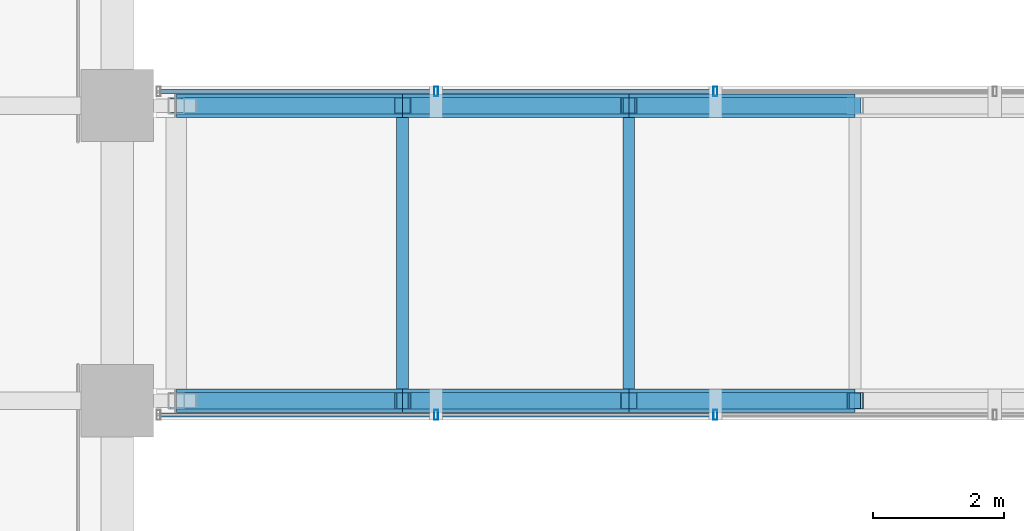
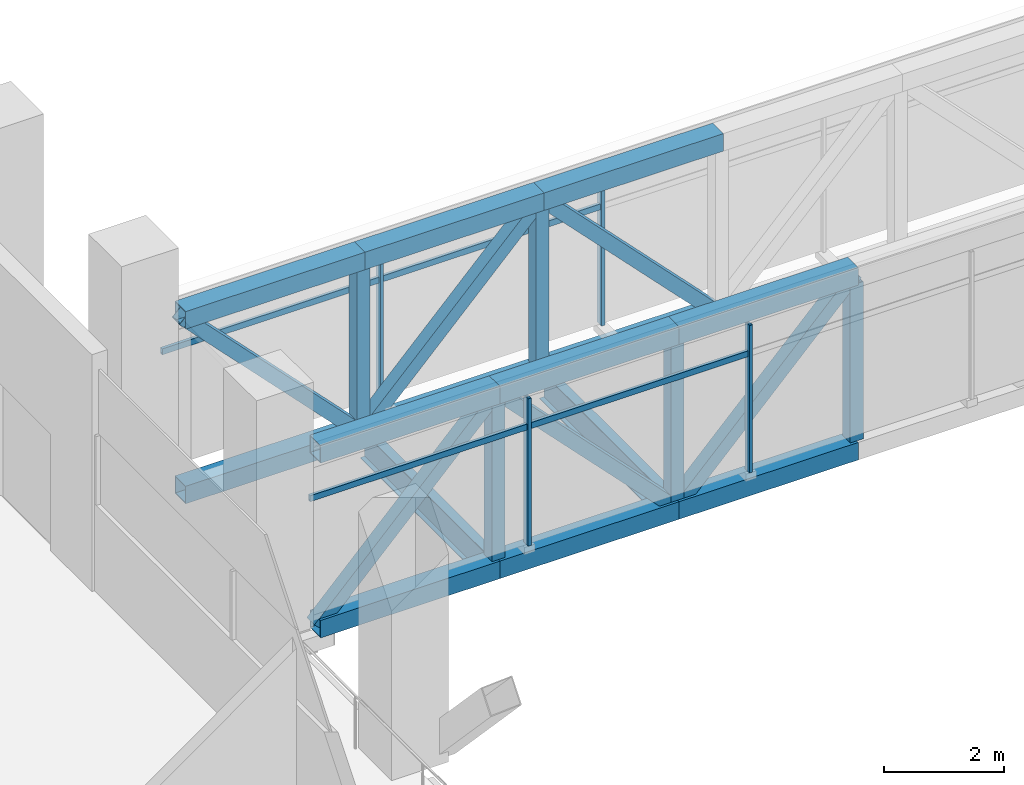
# One storey, part 15 of 44: 31 members, 2 beams, 2 elements without a shape of their own.
"""IFC4 building model written with IfcOpenShell, lengths in metres."""

from ifc_helpers import new_model, si_unit, direction, frame, origin, origin_2d, place, context, subcontext, project, spatial, hollow_rectangle, i_section, extrude, material, material_profile, profile_set, type_object, element, aggregate, save


model = new_model("IFC4")

# Units and contexts
model_context = context("Model", 3, precision=1e-05, world=origin(), true_north=direction((0.0, 1.0)))
body_context = subcontext(model_context, "Body", "Model", "MODEL_VIEW")
ifc_project = project(units=[si_unit("LENGTHUNIT", "METRE"), si_unit("AREAUNIT", "SQUARE_METRE"), si_unit("VOLUMEUNIT", "CUBIC_METRE"), si_unit("PLANEANGLEUNIT", "RADIAN"), si_unit("MASSUNIT", "GRAM", prefix="KILO")], contexts=[model_context])

# Site, building, storey
site_placement = place(None, origin())
site = spatial("IfcSite", under=ifc_project, at=site_placement, CompositionType="ELEMENT")
building_placement = place(site_placement, origin())
building = spatial("IfcBuilding", under=site, at=building_placement, Name="Altepetl Exchange Towers", CompositionType="ELEMENT")
storey_placement = place(building_placement, frame((0.0, 0.0, 87.0)))
storey = spatial("IfcBuildingStorey", under=building, at=storey_placement, Name="L21 Refuge", CompositionType="ELEMENT", Elevation=87.0)

# Members
ifc_material_1 = material(Name="Steel S355", Category="steel")
ifc_material_profile_1 = material_profile(ifc_material_1, hollow_rectangle(XDim=0.35595703125, YDim=0.35595703125, WallThickness=0.014892578125, at=origin_2d()), Name="HSS356X356X15.9")
ifc_profile_set_1 = profile_set([ifc_material_profile_1], Name="Steel S355")
member_type_1 = type_object("IfcMemberType", Name="Bridge chord HSS356X356X15.9", PredefinedType="CHORD", material=ifc_profile_set_1)
for number, where, z_axis, x_axis, name in (
    (1, (72.89990234375, 45.0, -0.3779296875), (1.0, 0.0, 0.0), (0.0, 1.0, 0.0), "tr:X:L21:bc-s0"),
    (2, (72.89990234375, 45.0, 3.177978515625), (1.0, 0.0, 0.0), (0.0, 1.0, 0.0), "tr:X:L21:tc-s0"),
):
    element("IfcMember", number, at=place(storey_placement, frame(where, z_axis=z_axis, x_axis=x_axis)), inside=storey, type_object=member_type_1, Name=name, PredefinedType="CHORD", context=body_context, shape_type="SweptSolid", body=[
        extrude(hollow_rectangle(XDim=0.35595703125, YDim=0.35595703125, WallThickness=0.014892578125, at=origin_2d()), origin(), (0.0, 0.0, 1.0), 3.4501953125),
    ])
for number, where, z_axis, x_axis, name in (
    (3, (76.35009765625, 45.0, -0.3779296875), (1.0, 0.0, 0.0), (0.0, 1.0, 0.0), "tr:X:L21:bc-s1"),
    (4, (76.35009765625, 45.0, 3.177978515625), (1.0, 0.0, 0.0), (0.0, 1.0, 0.0), "tr:X:L21:tc-s1"),
    (5, (79.800048828125, 45.0, -0.3779296875), (1.0, 0.0, 0.0), (0.0, 1.0, 0.0), "tr:X:L21:bc-s2"),
    (6, (79.800048828125, 45.0, 3.177978515625), (1.0, 0.0, 0.0), (0.0, 1.0, 0.0), "tr:X:L21:tc-s2"),
):
    element("IfcMember", number, at=place(storey_placement, frame(where, z_axis=z_axis, x_axis=x_axis)), inside=storey, type_object=member_type_1, Name=name, PredefinedType="CHORD", context=body_context, shape_type="SweptSolid", body=[
        extrude(hollow_rectangle(XDim=0.35595703125, YDim=0.35595703125, WallThickness=0.014892578125, at=origin_2d()), origin(), (0.0, 0.0, 1.0), 3.449951171875),
    ])
for number, where, z_axis, x_axis, name in (
    (7, (72.89990234375, 49.5, -0.3779296875), (1.0, 0.0, 0.0), (0.0, 1.0, 0.0), "tr:X:L21:bc-n0"),
    (8, (72.89990234375, 49.5, 3.177978515625), (1.0, 0.0, 0.0), (0.0, 1.0, 0.0), "tr:X:L21:tc-n0"),
):
    element("IfcMember", number, at=place(storey_placement, frame(where, z_axis=z_axis, x_axis=x_axis)), inside=storey, type_object=member_type_1, Name=name, PredefinedType="CHORD", context=body_context, shape_type="SweptSolid", body=[
        extrude(hollow_rectangle(XDim=0.35595703125, YDim=0.35595703125, WallThickness=0.014892578125, at=origin_2d()), origin(), (0.0, 0.0, 1.0), 3.4501953125),
    ])
for number, where, z_axis, x_axis, name in (
    (9, (76.35009765625, 49.5, -0.3779296875), (1.0, 0.0, 0.0), (0.0, 1.0, 0.0), "tr:X:L21:bc-n1"),
    (10, (76.35009765625, 49.5, 3.177978515625), (1.0, 0.0, 0.0), (0.0, 1.0, 0.0), "tr:X:L21:tc-n1"),
    (11, (79.800048828125, 49.5, -0.3779296875), (1.0, 0.0, 0.0), (0.0, 1.0, 0.0), "tr:X:L21:bc-n2"),
    (12, (79.800048828125, 49.5, 3.177978515625), (1.0, 0.0, 0.0), (0.0, 1.0, 0.0), "tr:X:L21:tc-n2"),
):
    element("IfcMember", number, at=place(storey_placement, frame(where, z_axis=z_axis, x_axis=x_axis)), inside=storey, type_object=member_type_1, Name=name, PredefinedType="CHORD", context=body_context, shape_type="SweptSolid", body=[
        extrude(hollow_rectangle(XDim=0.35595703125, YDim=0.35595703125, WallThickness=0.014892578125, at=origin_2d()), origin(), (0.0, 0.0, 1.0), 3.449951171875),
    ])

# Beams
ifc_material_profile_2 = material_profile(ifc_material_1, i_section(OverallWidth=0.178955078125, OverallDepth=0.60302734375, WebThickness=0.010986328125, FlangeThickness=0.014892578125, at=origin_2d()), Name="W24X62")
ifc_profile_set_2 = profile_set([ifc_material_profile_2], Name="Steel S355")
beam_type = type_object("IfcBeamType", Name="Bridge deck beam W24X62", PredefinedType="BEAM", material=ifc_profile_set_2)
for number, where, z_axis, x_axis, name in (
    (13, (76.35009765625, 45.177978515625, -0.50146484375), (0.0, 1.0, 0.0), (-1.0, 0.0, 0.0), "bm:X:L21:cb1"),
    (14, (79.800048828125, 45.177978515625, -0.50146484375), (0.0, 1.0, 0.0), (-1.0, 0.0, 0.0), "bm:X:L21:cb2"),
):
    element("IfcBeam", number, at=place(storey_placement, frame(where, z_axis=z_axis, x_axis=x_axis)), inside=storey, type_object=beam_type, Name=name, PredefinedType="BEAM", context=body_context, shape_type="SweptSolid", body=[
        extrude(i_section(OverallWidth=0.178955078125, OverallDepth=0.60302734375, WebThickness=0.010986328125, FlangeThickness=0.014892578125, at=origin_2d()), origin(), (0.0, 0.0, 1.0), 4.14404296875),
    ])

# Members
ifc_material_profile_3 = material_profile(ifc_material_1, hollow_rectangle(XDim=0.25390625, YDim=0.25390625, WallThickness=0.01171875, at=origin_2d()), Name="HSS254X254X12.7")
ifc_profile_set_3 = profile_set([ifc_material_profile_3], Name="Steel S355")
member_type_2 = type_object("IfcMemberType", Name="Bridge diagonal HSS254X254X12.7", PredefinedType="BRACE", material=ifc_profile_set_3)
member_1_placement = place(storey_placement, frame((72.89990234375, 45.0, -0.3779296875), z_axis=(0.696358204667, 0.0, 0.717694399305), x_axis=(0.0, 1.0, 0.0)))
element("IfcMember", 15, at=member_1_placement, inside=storey, type_object=member_type_2, Name="tr:X:L21:dg-s0", PredefinedType="BRACE", context=body_context, shape_type="SweptSolid", body=[
    extrude(hollow_rectangle(XDim=0.25390625, YDim=0.25390625, WallThickness=0.01171875, at=origin_2d()), origin(), (0.0, 0.0, 1.0), 4.95458984375),
])
for number, where, z_axis, x_axis, name in (
    (16, (76.35009765625, 45.0, 3.177978515625), (0.696332822392, 0.0, -0.717719026123), (0.0, 1.0, 0.0), "tr:X:L21:dg-s1"),
    (17, (79.800048828125, 45.0, -0.3779296875), (0.696332822392, 0.0, 0.717719026123), (0.0, 1.0, 0.0), "tr:X:L21:dg-s2"),
):
    element("IfcMember", number, at=place(storey_placement, frame(where, z_axis=z_axis, x_axis=x_axis)), inside=storey, type_object=member_type_2, Name=name, PredefinedType="BRACE", context=body_context, shape_type="SweptSolid", body=[
        extrude(hollow_rectangle(XDim=0.25390625, YDim=0.25390625, WallThickness=0.01171875, at=origin_2d()), origin(), (0.0, 0.0, 1.0), 4.954345703125),
    ])
member_2_placement = place(storey_placement, frame((72.89990234375, 49.5, 3.177978515625), z_axis=(0.696358204667, 0.0, -0.717694399305), x_axis=(0.0, 1.0, 0.0)))
element("IfcMember", 18, at=member_2_placement, inside=storey, type_object=member_type_2, Name="tr:X:L21:dg-n0", PredefinedType="BRACE", context=body_context, shape_type="SweptSolid", body=[
    extrude(hollow_rectangle(XDim=0.25390625, YDim=0.25390625, WallThickness=0.01171875, at=origin_2d()), origin(), (0.0, 0.0, 1.0), 4.95458984375),
])
for number, where, z_axis, x_axis, name in (
    (19, (76.35009765625, 49.5, -0.3779296875), (0.696332822392, 0.0, 0.717719026123), (0.0, 1.0, 0.0), "tr:X:L21:dg-n1"),
    (20, (79.800048828125, 49.5, 3.177978515625), (0.696332822392, 0.0, -0.717719026123), (0.0, 1.0, 0.0), "tr:X:L21:dg-n2"),
):
    element("IfcMember", number, at=place(storey_placement, frame(where, z_axis=z_axis, x_axis=x_axis)), inside=storey, type_object=member_type_2, Name=name, PredefinedType="BRACE", context=body_context, shape_type="SweptSolid", body=[
        extrude(hollow_rectangle(XDim=0.25390625, YDim=0.25390625, WallThickness=0.01171875, at=origin_2d()), origin(), (0.0, 0.0, 1.0), 4.954345703125),
    ])
ifc_material_profile_4 = material_profile(ifc_material_1, hollow_rectangle(XDim=0.25390625, YDim=0.25390625, WallThickness=0.01171875, at=origin_2d()), Name="HSS254X254X12.7")
ifc_profile_set_4 = profile_set([ifc_material_profile_4], Name="Steel S355")
member_type_3 = type_object("IfcMemberType", Name="Bridge post HSS254X254X12.7", PredefinedType="POST", material=ifc_profile_set_4)
for number, where, name in (
    (21, (76.35009765625, 45.0, -0.199951171875), "tr:X:L21:ps-s1"),
    (22, (79.800048828125, 45.0, -0.199951171875), "tr:X:L21:ps-s2"),
    (23, (83.25, 45.0, -0.199951171875), "tr:X:L21:ps-s3"),
    (24, (76.35009765625, 49.5, -0.199951171875), "tr:X:L21:ps-n1"),
    (25, (79.800048828125, 49.5, -0.199951171875), "tr:X:L21:ps-n2"),
):
    element("IfcMember", number, at=place(storey_placement, frame(where)), inside=storey, type_object=member_type_3, Name=name, PredefinedType="POST", context=body_context, shape_type="SweptSolid", body=[
        extrude(hollow_rectangle(XDim=0.25390625, YDim=0.25390625, WallThickness=0.01171875, at=origin_2d()), origin(), (0.0, 0.0, 1.0), 3.199951171875),
    ])

# Curtain wall, members
ifc_material_2 = material(Name="Aluminium 6063-T6 glazing", Category="aluminium")
curtain_wall_type = type_object("IfcCurtainWallType", Name="Bridge enclosure system", PredefinedType="NOTDEFINED", material=ifc_material_2)
curtain_wall_1_placement = place(storey_placement, origin())
curtain_wall_1 = element("IfcCurtainWall", 26, at=curtain_wall_1_placement, inside=storey, type_object=curtain_wall_type, Name="CW6 run", PredefinedType="NOTDEFINED")
ifc_material_3 = material(Name="Aluminium 6063-T6", Category="aluminium")
ifc_material_profile_5 = material_profile(ifc_material_3, hollow_rectangle(XDim=0.06005859375, YDim=0.14990234375, WallThickness=0.0029296875, at=origin_2d()), Name="Mullion 60x150 aluminium")
ifc_profile_set_5 = profile_set([ifc_material_profile_5], Name="Aluminium 6063-T6")
member_type_4 = type_object("IfcMemberType", Name="Mullion 60x150 aluminium", PredefinedType="MULLION", material=ifc_profile_set_5)
member_3_placement = place(storey_placement, frame((76.860107421875, 44.784912109375, 0.0)))
member_3 = element("IfcMember", 27, at=member_3_placement, type_object=member_type_4, Name="MU1 mullion", PredefinedType="MULLION", context=body_context, shape_type="SweptSolid", body=[
    extrude(hollow_rectangle(XDim=0.06005859375, YDim=0.14990234375, WallThickness=0.0029296875, at=origin_2d()), origin(), (0.0, 0.0, 1.0), 3.0),
])
member_4_placement = place(storey_placement, frame((81.1201171875, 44.784912109375, 0.0)))
member_4 = element("IfcMember", 28, at=member_4_placement, type_object=member_type_4, Name="MU1 mullion", PredefinedType="MULLION", context=body_context, shape_type="SweptSolid", body=[
    extrude(hollow_rectangle(XDim=0.06005859375, YDim=0.14990234375, WallThickness=0.0029296875, at=origin_2d()), origin(), (0.0, 0.0, 1.0), 3.0),
])

curtain_wall_2_placement = place(storey_placement, origin())
curtain_wall_2 = element("IfcCurtainWall", 29, at=curtain_wall_2_placement, inside=storey, type_object=curtain_wall_type, Name="CW6 run", PredefinedType="NOTDEFINED")
member_5_placement = place(storey_placement, frame((76.860107421875, 49.715087890625, 0.0)))
member_5 = element("IfcMember", 30, at=member_5_placement, type_object=member_type_4, Name="MU1 mullion", PredefinedType="MULLION", context=body_context, shape_type="SweptSolid", body=[
    extrude(hollow_rectangle(XDim=0.06005859375, YDim=0.14990234375, WallThickness=0.0029296875, at=origin_2d()), origin(), (0.0, 0.0, 1.0), 3.0),
])
member_6_placement = place(storey_placement, frame((81.1201171875, 49.715087890625, 0.0)))
member_6 = element("IfcMember", 31, at=member_6_placement, type_object=member_type_4, Name="MU1 mullion", PredefinedType="MULLION", context=body_context, shape_type="SweptSolid", body=[
    extrude(hollow_rectangle(XDim=0.06005859375, YDim=0.14990234375, WallThickness=0.0029296875, at=origin_2d()), origin(), (0.0, 0.0, 1.0), 3.0),
])

# Member
ifc_material_profile_6 = material_profile(ifc_material_3, hollow_rectangle(XDim=0.06005859375, YDim=0.1201171875, WallThickness=0.0029296875, at=origin_2d()), Name="Transom 60x120 aluminium")
ifc_profile_set_6 = profile_set([ifc_material_profile_6], Name="Aluminium 6063-T6")
member_type_5 = type_object("IfcMemberType", Name="Transom 60x120 aluminium", PredefinedType="USERDEFINED", material=ifc_profile_set_6)
member_7_placement = place(storey_placement, frame((72.659912109375, 44.784912109375, 2.39990234375), z_axis=(1.0, 0.0, 0.0), x_axis=(0.0, 1.0, 0.0)))
member_7 = element("IfcMember", 32, at=member_7_placement, type_object=member_type_5, Name="TR1 transom", ObjectType="TRANSOM", PredefinedType="USERDEFINED", context=body_context, shape_type="SweptSolid", body=[
    extrude(hollow_rectangle(XDim=0.06005859375, YDim=0.1201171875, WallThickness=0.0029296875, at=origin_2d()), origin(), (0.0, 0.0, 1.0), 4.170166015625),
])

member_8_placement = place(storey_placement, frame((76.889892578125, 44.784912109375, 2.39990234375), z_axis=(1.0, 0.0, 0.0), x_axis=(0.0, 1.0, 0.0)))
member_8 = element("IfcMember", 33, at=member_8_placement, type_object=member_type_5, Name="TR1 transom", ObjectType="TRANSOM", PredefinedType="USERDEFINED", context=body_context, shape_type="SweptSolid", body=[
    extrude(hollow_rectangle(XDim=0.06005859375, YDim=0.1201171875, WallThickness=0.0029296875, at=origin_2d()), origin(), (0.0, 0.0, 1.0), 4.2001953125),
])

aggregate(curtain_wall_1, [member_3, member_4, member_7, member_8])

member_9_placement = place(storey_placement, frame((72.659912109375, 49.715087890625, 2.39990234375), z_axis=(1.0, 0.0, 0.0), x_axis=(0.0, 1.0, 0.0)))
member_9 = element("IfcMember", 34, at=member_9_placement, type_object=member_type_5, Name="TR1 transom", ObjectType="TRANSOM", PredefinedType="USERDEFINED", context=body_context, shape_type="SweptSolid", body=[
    extrude(hollow_rectangle(XDim=0.06005859375, YDim=0.1201171875, WallThickness=0.0029296875, at=origin_2d()), origin(), (0.0, 0.0, 1.0), 4.170166015625),
])

member_10_placement = place(storey_placement, frame((76.889892578125, 49.715087890625, 2.39990234375), z_axis=(1.0, 0.0, 0.0), x_axis=(0.0, 1.0, 0.0)))
member_10 = element("IfcMember", 35, at=member_10_placement, type_object=member_type_5, Name="TR1 transom", ObjectType="TRANSOM", PredefinedType="USERDEFINED", context=body_context, shape_type="SweptSolid", body=[
    extrude(hollow_rectangle(XDim=0.06005859375, YDim=0.1201171875, WallThickness=0.0029296875, at=origin_2d()), origin(), (0.0, 0.0, 1.0), 4.2001953125),
])

aggregate(curtain_wall_2, [member_5, member_6, member_9, member_10])

save(model, "model.ifc")
